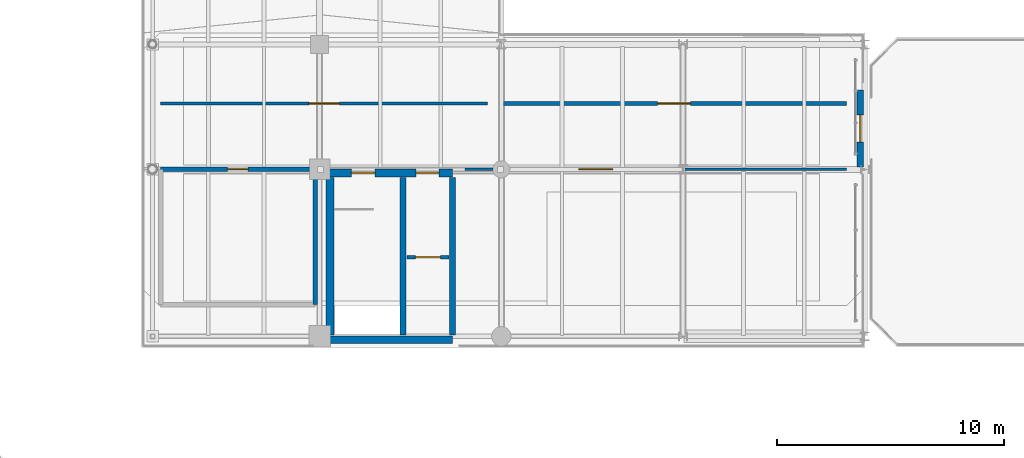
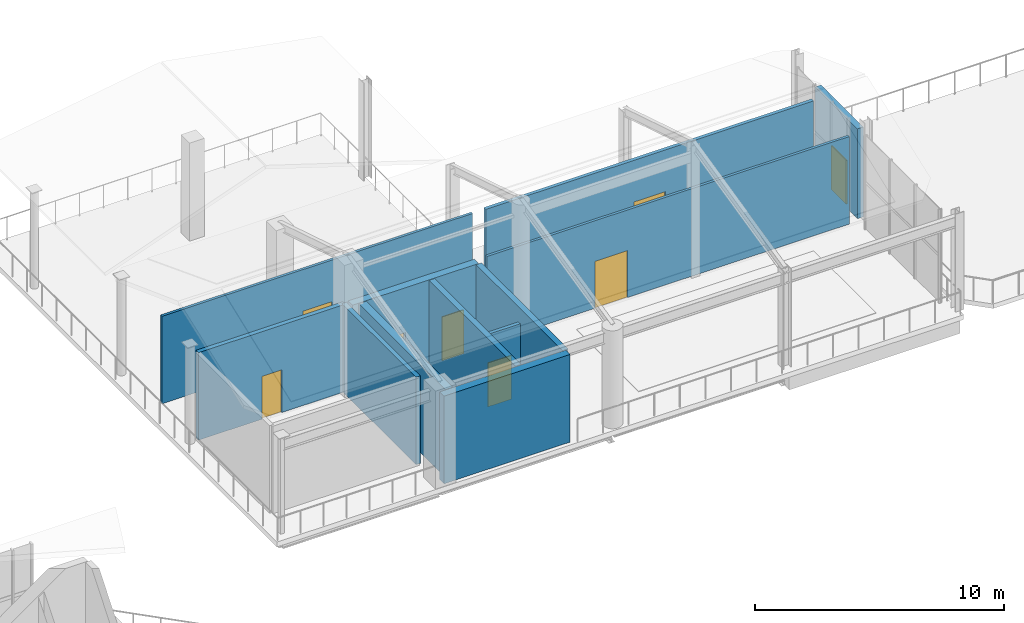
# One storey, part 25 of 30: 12 walls, 8 doors, 8 openings.
"""IFC4 building model written with IfcOpenShell, lengths in metres."""

from ifc_helpers import new_model, si_unit, direction, frame, frame_2d, origin, place, context, subcontext, project, spatial, rectangle, extrude, material, layer, layer_set, type_object, element, fill, save


model = new_model("IFC4")

# Units and contexts
model_context = context("Model", 3, precision=1e-05, world=origin(), true_north=direction((0.0, 1.0)))
body_context = subcontext(model_context, "Body", "Model", "MODEL_VIEW")
ifc_project = project(units=[si_unit("LENGTHUNIT", "METRE"), si_unit("AREAUNIT", "SQUARE_METRE"), si_unit("VOLUMEUNIT", "CUBIC_METRE"), si_unit("PLANEANGLEUNIT", "RADIAN"), si_unit("MASSUNIT", "GRAM", prefix="KILO")], contexts=[model_context])

# Site, building, storey
site_placement = place(None, origin())
site = spatial("IfcSite", under=ifc_project, at=site_placement, CompositionType="ELEMENT")
building_placement = place(site_placement, origin())
building = spatial("IfcBuilding", under=site, at=building_placement, Name="Brisemont Oceanarium", CompositionType="ELEMENT")
storey_placement = place(building_placement, frame((0.0, 0.0, 19.800048828125)))
storey = spatial("IfcBuildingStorey", under=building, at=storey_placement, Name="L04", CompositionType="ELEMENT", Elevation=19.800048828125)

# Wall, opening, door
ifc_material_1 = material(Name="Beaux-Arts Limestone Cladding Precast Concrete C40/50", Category="masonry")
ifc_layer_1 = layer(ifc_material_1, 0.280029296875)
ifc_layer_set_1 = layer_set([ifc_layer_1], Name="Beaux-Arts Limestone Cladding Precast Concrete C40/50")
wall_type_1 = type_object("IfcWallType", Name="EW-LIME-280", PredefinedType="STANDARD", material=ifc_layer_set_1)
wall_1_placement = place(storey_placement, frame((143.800048828125, 88.10009765625, 0.0), z_axis=(0.0, 0.0, 1.0), x_axis=(0.0, 1.0, 0.0)))
wall_1 = element("IfcWall", 1, at=wall_1_placement, inside=storey, type_object=wall_type_1, Name="Beaux-Arts exterior wall EW-V6TER-L04", PredefinedType="STANDARD", context=body_context, shape_type="SweptSolid", body=[
    extrude(rectangle(XDim=3.39990234375, YDim=0.280029296875, at=frame_2d((1.699951171875, 0.0))), origin(), (0.0, 0.0, 1.0), 4.39990234375),
])
opening_1_placement = place(wall_1_placement, frame((1.10009765625, 0.0, 0.0)))
opening_1 = element("IfcOpeningElement", 2, at=opening_1_placement, cuts=wall_1, Name="Opening ED-02", PredefinedType="OPENING", context=body_context, shape_type="SweptSolid", body=[
    extrude(rectangle(XDim=1.199951171875, YDim=2.14990234375, at=frame_2d((0.60009765625, 1.074951171875))), frame((0.0, 0.14990234375, 0.0), z_axis=(0.0, -1.0, 0.0), x_axis=(1.0, 0.0, 0.0)), (0.0, 0.0, 1.0), 0.300048828125),
])
ifc_material_2 = material(Name="Anodized Extruded Aluminum 6063-T6", Category="aluminium")
door_type_1 = type_object("IfcDoorType", Name="DR-TER-1200X2150", OperationType="NOTDEFINED", PredefinedType="DOOR", material=ifc_material_2)
door_1_placement = place(opening_1_placement, origin())
door_1 = element("IfcDoor", 3, at=door_1_placement, inside=storey, type_object=door_type_1, Name="ED-02 exterior entrance door 11", OperationType="SINGLE_SWING_RIGHT", OverallHeight=2.14990234375, OverallWidth=1.199951171875, PredefinedType="DOOR", context=body_context, shape_type="SweptSolid", body=[
    extrude(rectangle(XDim=1.199951171875, YDim=2.14990234375, at=frame_2d((0.60009765625, 1.074951171875))), frame((0.0, 0.02490234375, 0.0), z_axis=(0.0, -1.0, 0.0), x_axis=(1.0, 0.0, 0.0)), (0.0, 0.0, 1.0), 0.050048828125),
])
fill(opening_1, door_1)

ifc_material_3 = material(Name="Moisture-Resistant Gypsum Steel-Stud Partition", Category="steel")
ifc_layer_2 = layer(ifc_material_3, 0.159912109375)
ifc_layer_set_2 = layer_set([ifc_layer_2], Name="Moisture-Resistant Gypsum Steel-Stud Partition")
wall_type_2 = type_object("IfcWallType", Name="IW-FB-160", PredefinedType="PARTITIONING", material=ifc_layer_set_2)
wall_2_placement = place(storey_placement, frame((123.85009765625, 84.1298828125, 0.0), z_axis=(0.0, 0.0, 1.0), x_axis=(1.0, 0.0, 0.0)))
wall_2 = element("IfcWall", 4, at=wall_2_placement, inside=storey, type_object=wall_type_2, Name="Core C7 L04 lift hoistway front wall", PredefinedType="PARTITIONING", context=body_context, shape_type="SweptSolid", body=[
    extrude(rectangle(XDim=1.83984375, YDim=0.159912109375, at=frame_2d((0.919921875, 0.0))), origin(), (0.0, 0.0, 1.0), 3.599853515625),
])
opening_2_placement = place(wall_2_placement, frame((0.3701171875, 0.0, 0.0)))
opening_2 = element("IfcOpeningElement", 5, at=opening_2_placement, cuts=wall_2, Name="Opening LD-01", PredefinedType="OPENING", context=body_context, shape_type="SweptSolid", body=[
    extrude(rectangle(XDim=1.10009765625, YDim=2.14990234375, at=frame_2d((0.550048828125, 1.074951171875))), frame((0.0, 0.08984375, 0.0), z_axis=(0.0, -1.0, 0.0), x_axis=(1.0, 0.0, 0.0)), (0.0, 0.0, 1.0), 0.179931640625),
])
ifc_material_4 = material(Name="Duplex Stainless Steel EN 1.4462", Category="steel")
door_type_2 = type_object("IfcDoorType", Name="DR-LIFT-1100X2150", OperationType="NOTDEFINED", PredefinedType="DOOR", material=ifc_material_4)
door_2_placement = place(opening_2_placement, origin())
door_2 = element("IfcDoor", 6, at=door_2_placement, inside=storey, type_object=door_type_2, Name="Lift landing door LF-07 L04", OperationType="SLIDING_TO_LEFT", OverallHeight=2.14990234375, OverallWidth=1.10009765625, PredefinedType="DOOR", context=body_context, shape_type="SweptSolid", body=[
    extrude(rectangle(XDim=1.10009765625, YDim=2.14990234375, at=frame_2d((0.550048828125, 1.074951171875))), frame((0.0, 0.02490234375, 0.0), z_axis=(0.0, -1.0, 0.0), x_axis=(1.0, 0.0, 0.0)), (0.0, 0.0, 1.0), 0.050048828125),
])
fill(opening_2, door_2)

wall_3_placement = place(storey_placement, frame((128.0, 90.89990234375, 0.0), z_axis=(0.0, 0.0, 1.0), x_axis=(1.0, 0.0, 0.0)))
wall_3 = element("IfcWall", 7, at=wall_3_placement, inside=storey, type_object=wall_type_2, Name="Oceanographic Rare Atlas Reading Room corridor partition", PredefinedType="PARTITIONING", context=body_context, shape_type="SweptSolid", body=[
    extrude(rectangle(XDim=15.199951171875, YDim=0.159912109375, at=frame_2d((7.60009765625, 0.0))), origin(), (0.0, 0.0, 1.0), 4.2900390625),
])
opening_3_placement = place(wall_3_placement, frame((6.875, 0.0, 0.0)))
opening_3 = element("IfcOpeningElement", 8, at=opening_3_placement, cuts=wall_3, Name="Opening FD90-1", PredefinedType="OPENING", context=body_context, shape_type="SweptSolid", body=[
    extrude(rectangle(XDim=1.449951171875, YDim=2.25, at=frame_2d((0.72509765625, 1.125))), frame((0.0, 0.08984375, 0.0), z_axis=(0.0, -1.0, 0.0), x_axis=(1.0, 0.0, 0.0)), (0.0, 0.0, 1.0), 0.179931640625),
])
ifc_material_5 = material(Name="FSC White Oak Solid-Core Fire Door")
door_type_3 = type_object("IfcDoorType", Name="DR-LOB-1450X2250", OperationType="NOTDEFINED", PredefinedType="DOOR", material=ifc_material_5)
door_3_placement = place(opening_3_placement, origin())
door_3 = element("IfcDoor", 9, at=door_3_placement, inside=storey, type_object=door_type_3, Name="FD90-1 door to Oceanographic Rare Atlas Reading Room", OperationType="SINGLE_SWING_LEFT", OverallHeight=2.25, OverallWidth=1.449951171875, PredefinedType="DOOR", context=body_context, shape_type="SweptSolid", body=[
    extrude(rectangle(XDim=1.449951171875, YDim=2.25, at=frame_2d((0.72509765625, 1.125))), frame((0.0, 0.02490234375, 0.0), z_axis=(0.0, -1.0, 0.0), x_axis=(1.0, 0.0, 0.0)), (0.0, 0.0, 1.0), 0.050048828125),
])
fill(opening_3, door_3)

ifc_material_6 = material(Name="Moisture-Resistant Gypsum Steel-Stud Partition", Category="steel")
ifc_layer_3 = layer(ifc_material_6, 0.1201171875)
ifc_layer_set_3 = layer_set([ifc_layer_3], Name="Moisture-Resistant Gypsum Steel-Stud Partition")
wall_type_3 = type_object("IfcWallType", Name="IW-PART-120", PredefinedType="PARTITIONING", material=ifc_layer_set_3)
wall_4_placement = place(storey_placement, frame((126.39990234375, 88.0, 0.0), z_axis=(0.0, 0.0, 1.0), x_axis=(1.0, 0.0, 0.0)))
wall_4 = element("IfcWall", 10, at=wall_4_placement, inside=storey, type_object=wall_type_3, Name="Coastal Observatory Exhibit Gallery corridor partition", PredefinedType="PARTITIONING", context=body_context, shape_type="SweptSolid", body=[
    extrude(rectangle(XDim=16.800048828125, YDim=0.1201171875, at=frame_2d((8.39990234375, 0.0))), origin(), (0.0, 0.0, 1.0), 4.2900390625),
])
opening_4_placement = place(wall_4_placement, frame((5.01123046875, 0.0, 0.0)))
opening_4 = element("IfcOpeningElement", 11, at=opening_4_placement, cuts=wall_4, Name="Opening GD-03", PredefinedType="OPENING", context=body_context, shape_type="SweptSolid", body=[
    extrude(rectangle(XDim=1.5, YDim=2.300048828125, at=frame_2d((0.75, 1.14990234375))), frame((0.0, 0.070068359375, 0.0), z_axis=(0.0, -1.0, 0.0), x_axis=(1.0, 0.0, 0.0)), (0.0, 0.0, 1.0), 0.14013671875),
])
ifc_material_7 = material(Name="Patinated Architectural Bronze C38500")
door_type_4 = type_object("IfcDoorType", Name="DR-GAL-1500X2300", OperationType="NOTDEFINED", PredefinedType="DOOR", material=ifc_material_7)
door_4_placement = place(opening_4_placement, origin())
door_4 = element("IfcDoor", 12, at=door_4_placement, inside=storey, type_object=door_type_4, Name="GD-03 door to Coastal Observatory Exhibit Gallery", OperationType="SINGLE_SWING_RIGHT", OverallHeight=2.300048828125, OverallWidth=1.5, PredefinedType="DOOR", context=body_context, shape_type="SweptSolid", body=[
    extrude(rectangle(XDim=1.5, YDim=2.300048828125, at=frame_2d((0.75, 1.14990234375))), frame((0.0, 0.02490234375, 0.0), z_axis=(0.0, -1.0, 0.0), x_axis=(1.0, 0.0, 0.0)), (0.0, 0.0, 1.0), 0.050048828125),
])
fill(opening_4, door_4)

wall_5_placement = place(storey_placement, frame((113.0, 90.89990234375, 0.0), z_axis=(0.0, 0.0, 1.0), x_axis=(1.0, 0.0, 0.0)))
wall_5 = element("IfcWall", 13, at=wall_5_placement, inside=storey, type_object=wall_type_3, Name="Marine Conservation Reference Library corridor partition", PredefinedType="PARTITIONING", context=body_context, shape_type="SweptSolid", body=[
    extrude(rectangle(XDim=14.39990234375, YDim=0.1201171875, at=frame_2d((7.199951171875, 0.0))), origin(), (0.0, 0.0, 1.0), 4.2900390625),
])
opening_5_placement = place(wall_5_placement, frame((6.52490234375, 0.0, 0.0)))
opening_5 = element("IfcOpeningElement", 14, at=opening_5_placement, cuts=wall_5, Name="Opening LB-01", PredefinedType="OPENING", context=body_context, shape_type="SweptSolid", body=[
    extrude(rectangle(XDim=1.35009765625, YDim=2.25, at=frame_2d((0.675048828125, 1.125))), frame((0.0, 0.070068359375, 0.0), z_axis=(0.0, -1.0, 0.0), x_axis=(1.0, 0.0, 0.0)), (0.0, 0.0, 1.0), 0.14013671875),
])
ifc_material_8 = material(Name="Duplex Stainless Steel EN 1.4462", Category="steel")
door_type_5 = type_object("IfcDoorType", Name="DR-LAB-1350X2250", OperationType="NOTDEFINED", PredefinedType="DOOR", material=ifc_material_8)
door_5_placement = place(opening_5_placement, origin())
door_5 = element("IfcDoor", 15, at=door_5_placement, inside=storey, type_object=door_type_5, Name="LB-01 door to Marine Conservation Reference Library", OperationType="SINGLE_SWING_RIGHT", OverallHeight=2.25, OverallWidth=1.35009765625, PredefinedType="DOOR", context=body_context, shape_type="SweptSolid", body=[
    extrude(rectangle(XDim=1.35009765625, YDim=2.25, at=frame_2d((0.675048828125, 1.125))), frame((0.0, 0.02490234375, 0.0), z_axis=(0.0, -1.0, 0.0), x_axis=(1.0, 0.0, 0.0)), (0.0, 0.0, 1.0), 0.050048828125),
])
fill(opening_5, door_5)

ifc_material_9 = material(Name="Cementitious Tile-Backer Plumbing Wall")
ifc_layer_4 = layer(ifc_material_9, 0.199951171875)
ifc_layer_set_4 = layer_set([ifc_layer_4], Name="Cementitious Tile-Backer Plumbing Wall")
wall_type_4 = type_object("IfcWallType", Name="IW-PLUMB-200", PredefinedType="PLUMBINGWALL", material=ifc_layer_set_4)
wall_6_placement = place(storey_placement, frame((113.0, 88.0, 0.0), z_axis=(0.0, 0.0, 1.0), x_axis=(1.0, 0.0, 0.0)))
wall_6 = element("IfcWall", 16, at=wall_6_placement, inside=storey, type_object=wall_type_4, Name="Accessible WC corridor partition", PredefinedType="PLUMBINGWALL", context=body_context, shape_type="SweptSolid", body=[
    extrude(rectangle(XDim=6.800048828125, YDim=0.199951171875, at=frame_2d((3.39990234375, 0.0))), origin(), (0.0, 0.0, 1.0), 4.2900390625),
])
opening_6_placement = place(wall_6_placement, frame((2.945068359375, 0.0, 0.0)))
opening_6 = element("IfcOpeningElement", 17, at=opening_6_placement, cuts=wall_6, Name="Opening D-03", PredefinedType="OPENING", context=body_context, shape_type="SweptSolid", body=[
    extrude(rectangle(XDim=0.909912109375, YDim=2.10009765625, at=frame_2d((0.455078125, 1.050048828125))), frame((0.0, 0.10986328125, 0.0), z_axis=(0.0, -1.0, 0.0), x_axis=(1.0, 0.0, 0.0)), (0.0, 0.0, 1.0), 0.219970703125),
])
ifc_material_10 = material(Name="FSC White Oak Solid-Core Fire Door")
door_type_6 = type_object("IfcDoorType", Name="DR-WC-910X2100", OperationType="NOTDEFINED", PredefinedType="DOOR", material=ifc_material_10)
door_6_placement = place(opening_6_placement, origin())
door_6 = element("IfcDoor", 18, at=door_6_placement, inside=storey, type_object=door_type_6, Name="D-03 door to Accessible WC", OperationType="SINGLE_SWING_LEFT", OverallHeight=2.10009765625, OverallWidth=0.909912109375, PredefinedType="DOOR", context=body_context, shape_type="SweptSolid", body=[
    extrude(rectangle(XDim=0.909912109375, YDim=2.10009765625, at=frame_2d((0.455078125, 1.050048828125))), frame((0.0, 0.02490234375, 0.0), z_axis=(0.0, -1.0, 0.0), x_axis=(1.0, 0.0, 0.0)), (0.0, 0.0, 1.0), 0.050048828125),
])
fill(opening_6, door_6)

# Walls
wall_7_placement = place(storey_placement, frame((119.800048828125, 82.050048828125, 0.0), z_axis=(0.0, 0.0, 1.0), x_axis=(0.0, 1.0, 0.0)))
element("IfcWall", 19, at=wall_7_placement, inside=storey, type_object=wall_type_4, Name="Accessible WC enclosure wall E", PredefinedType="PLUMBINGWALL", context=body_context, shape_type="SweptSolid", body=[
    extrude(rectangle(XDim=5.949951171875, YDim=0.199951171875, at=frame_2d((2.97509765625, 0.0))), origin(), (0.0, 0.0, 1.0), 4.2900390625),
])
ifc_material_11 = material(Name="Concrete C40/50", Category="concrete")
ifc_layer_5 = layer(ifc_material_11, 0.260009765625)
ifc_layer_set_5 = layer_set([ifc_layer_5], Name="Concrete C40/50")
wall_type_5 = type_object("IfcWallType", Name="SW-SHAFT-260", PredefinedType="SHEAR", material=ifc_layer_set_5)
for number, where, z_axis, x_axis, name in (
    (20, (125.85009765625, 80.699951171875, 0.0), (0.0, 0.0, 1.0), (0.0, 1.0, 0.0), "Core C7 L04 E RC shear wall"),
    (21, (123.669921875, 80.699951171875, 0.0), (0.0, 0.0, 1.0), (0.0, 1.0, 0.0), "Core C7 L04 MID RC shear wall"),
):
    element("IfcWall", number, at=place(storey_placement, frame(where, z_axis=z_axis, x_axis=x_axis)), inside=storey, type_object=wall_type_5, Name=name, PredefinedType="SHEAR", context=body_context, shape_type="SweptSolid", body=[
        extrude(rectangle(XDim=6.949951171875, YDim=0.260009765625, at=frame_2d((3.47509765625, 0.0))), origin(), (0.0, 0.0, 1.0), 4.300048828125),
    ])

# Wall, openings, doors
ifc_material_12 = material(Name="Concrete C40/50", Category="concrete")
ifc_layer_6 = layer(ifc_material_12, 0.35009765625)
ifc_layer_set_6 = layer_set([ifc_layer_6], Name="Concrete C40/50")
wall_type_6 = type_object("IfcWallType", Name="SW-STAIR-350", PredefinedType="SHEAR", material=ifc_layer_set_6)
wall_8_placement = place(storey_placement, frame((120.0, 87.85009765625, 0.0), z_axis=(0.0, 0.0, 1.0), x_axis=(1.0, 0.0, 0.0)))
wall_8 = element("IfcWall", 22, at=wall_8_placement, inside=storey, type_object=wall_type_6, Name="Core C7 L04 corridor RC shear wall", PredefinedType="SHEAR", context=body_context, shape_type="SweptSolid", body=[
    extrude(rectangle(XDim=5.85009765625, YDim=0.35009765625, at=frame_2d((2.925048828125, 0.0))), origin(), (0.0, 0.0, 1.0), 4.300048828125),
])
opening_7_placement = place(wall_8_placement, frame((1.39990234375, 0.0, 0.0)))
opening_7 = element("IfcOpeningElement", 23, at=opening_7_placement, cuts=wall_8, Name="Opening SD-02", PredefinedType="OPENING", context=body_context, shape_type="SweptSolid", body=[
    extrude(rectangle(XDim=1.050048828125, YDim=2.10009765625, at=frame_2d((0.52490234375, 1.050048828125))), frame((0.0, 0.18505859375, 0.0), z_axis=(0.0, -1.0, 0.0), x_axis=(1.0, 0.0, 0.0)), (0.0, 0.0, 1.0), 0.3701171875),
])
opening_8_placement = place(wall_8_placement, frame((4.25, 0.0, 0.0)))
opening_8 = element("IfcOpeningElement", 24, at=opening_8_placement, cuts=wall_8, Name="Opening FD90-2", PredefinedType="OPENING", context=body_context, shape_type="SweptSolid", body=[
    extrude(rectangle(XDim=1.0, YDim=2.14990234375, at=frame_2d((0.5, 1.074951171875))), frame((0.0, 0.18505859375, 0.0), z_axis=(0.0, -1.0, 0.0), x_axis=(1.0, 0.0, 0.0)), (0.0, 0.0, 1.0), 0.3701171875),
])
ifc_material_13 = material(Name="FSC White Oak Solid-Core Fire Door")
door_type_7 = type_object("IfcDoorType", Name="DR-LOB-1000X2150", OperationType="NOTDEFINED", PredefinedType="DOOR", material=ifc_material_13)
door_7_placement = place(opening_8_placement, origin())
door_7 = element("IfcDoor", 25, at=door_7_placement, inside=storey, type_object=door_type_7, Name="Lift lobby door C7 L04", OperationType="SINGLE_SWING_RIGHT", OverallHeight=2.14990234375, OverallWidth=1.0, PredefinedType="DOOR", context=body_context, shape_type="SweptSolid", body=[
    extrude(rectangle(XDim=1.0, YDim=2.14990234375, at=frame_2d((0.5, 1.074951171875))), frame((0.0, 0.02490234375, 0.0), z_axis=(0.0, -1.0, 0.0), x_axis=(1.0, 0.0, 0.0)), (0.0, 0.0, 1.0), 0.050048828125),
])
fill(opening_8, door_7)
ifc_material_14 = material(Name="Duplex Stainless Steel EN 1.4462", Category="steel")
door_type_8 = type_object("IfcDoorType", Name="DR-STAIR-1050X2100", OperationType="NOTDEFINED", PredefinedType="DOOR", material=ifc_material_14)
door_8_placement = place(opening_7_placement, origin())
door_8 = element("IfcDoor", 26, at=door_8_placement, inside=storey, type_object=door_type_8, Name="Exit stair door ST-07 L04", OperationType="SINGLE_SWING_LEFT", OverallHeight=2.10009765625, OverallWidth=1.050048828125, PredefinedType="DOOR", context=body_context, shape_type="SweptSolid", body=[
    extrude(rectangle(XDim=1.050048828125, YDim=2.10009765625, at=frame_2d((0.52490234375, 1.050048828125))), frame((0.0, 0.02490234375, 0.0), z_axis=(0.0, -1.0, 0.0), x_axis=(1.0, 0.0, 0.0)), (0.0, 0.0, 1.0), 0.050048828125),
])
fill(opening_7, door_8)

# Walls
wall_9_placement = place(storey_placement, frame((120.0, 80.5, 0.0), z_axis=(0.0, 0.0, 1.0), x_axis=(1.0, 0.0, 0.0)))
element("IfcWall", 27, at=wall_9_placement, inside=storey, type_object=wall_type_6, Name="Core C7 L04 BCK RC shear wall", PredefinedType="SHEAR", context=body_context, shape_type="SweptSolid", body=[
    extrude(rectangle(XDim=5.85009765625, YDim=0.35009765625, at=frame_2d((2.925048828125, 0.0))), origin(), (0.0, 0.0, 1.0), 4.300048828125),
])
wall_10_placement = place(storey_placement, frame((120.449951171875, 80.699951171875, 0.0), z_axis=(0.0, 0.0, 1.0), x_axis=(0.0, 1.0, 0.0)))
element("IfcWall", 28, at=wall_10_placement, inside=storey, type_object=wall_type_6, Name="Core C7 L04 W RC shear wall", PredefinedType="SHEAR", context=body_context, shape_type="SweptSolid", body=[
    extrude(rectangle(XDim=6.949951171875, YDim=0.35009765625, at=frame_2d((3.47509765625, 0.0))), origin(), (0.0, 0.0, 1.0), 4.300048828125),
])

save(model, "model.ifc")
